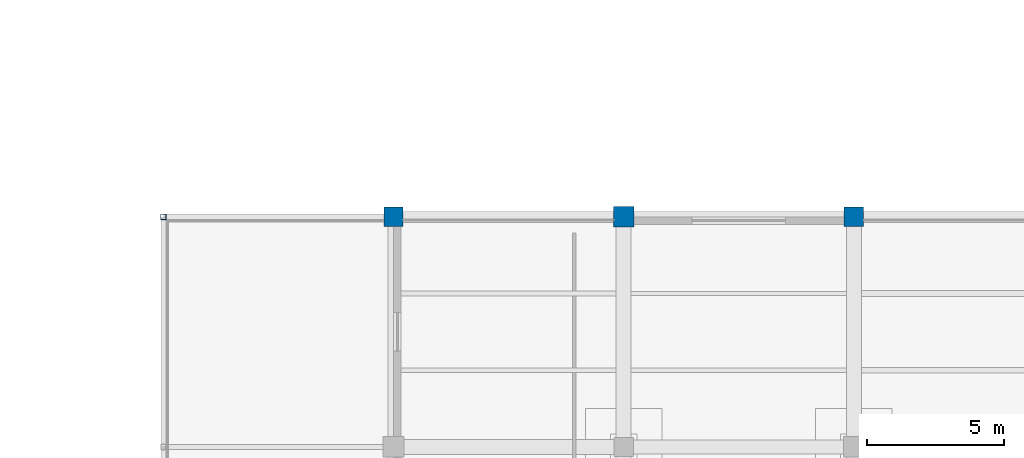
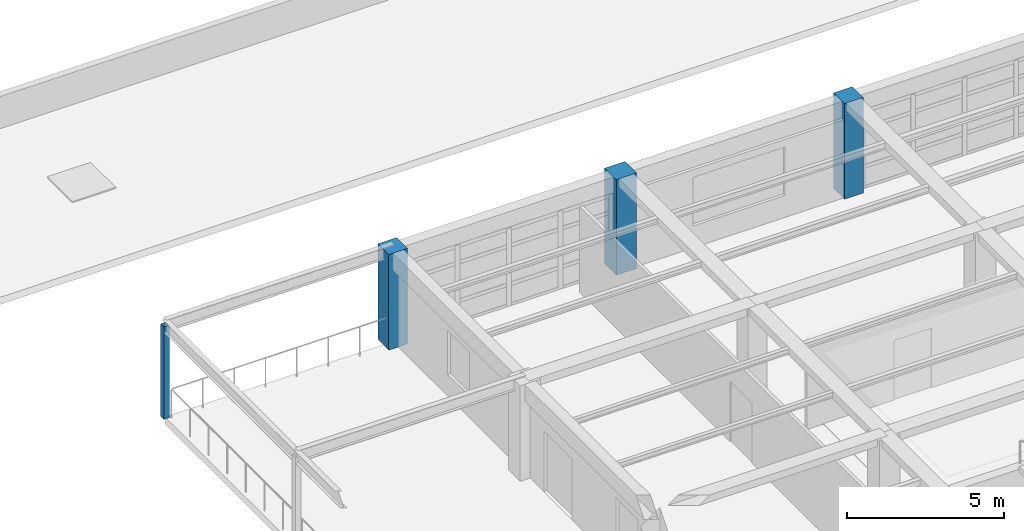
# One storey, part 3 of 35: 4 columns.
"""IFC4 building model written with IfcOpenShell, lengths in metres."""

from ifc_helpers import new_model, si_unit, direction, frame, origin, origin_2d, place, context, subcontext, project, spatial, rectangle, hollow_rectangle, extrude, material, material_profile, profile_set, type_object, element, save


model = new_model("IFC4")

# Units and contexts
model_context = context("Model", 3, precision=1e-05, world=origin(), true_north=direction((0.0, 1.0)))
body_context = subcontext(model_context, "Body", "Model", "MODEL_VIEW")
ifc_project = project(units=[si_unit("LENGTHUNIT", "METRE"), si_unit("AREAUNIT", "SQUARE_METRE"), si_unit("VOLUMEUNIT", "CUBIC_METRE"), si_unit("PLANEANGLEUNIT", "RADIAN"), si_unit("MASSUNIT", "GRAM", prefix="KILO")], contexts=[model_context])

# Site, building, storey
site_placement = place(None, origin())
site = spatial("IfcSite", under=ifc_project, at=site_placement, CompositionType="ELEMENT")
building_placement = place(site_placement, origin())
building = spatial("IfcBuilding", under=site, at=building_placement, Name="Almacenes y Pasaje Nevantli", CompositionType="ELEMENT")
storey_placement = place(building_placement, frame((0.0, 0.0, 26.699951171875)))
storey = spatial("IfcBuildingStorey", under=building, at=storey_placement, Name="L06", CompositionType="ELEMENT", Elevation=26.699951171875)

# Columns
ifc_material_1 = material(Name="Concrete C45/55", Category="concrete")
ifc_material_profile_1 = material_profile(ifc_material_1, rectangle(XDim=0.699951171875, YDim=0.699951171875, at=origin_2d()), Name="RC-COL-700x700")
ifc_profile_set_1 = profile_set([ifc_material_profile_1], Name="Concrete C45/55")
column_type_1 = type_object("IfcColumnType", Name="COL-RC-700", PredefinedType="COLUMN", material=ifc_profile_set_1)
for number, where, z_axis, x_axis, name in (
    (1, (109.199951171875, 100.800048828125, 0.0), (0.0, 0.0, 1.0), (1.0, 0.0, 0.0), "L06 Reinforced Concrete Column CL-06 #2070"),
    (2, (126.0, 100.800048828125, 0.0), (0.0, 0.0, 1.0), (1.0, 0.0, 0.0), "L06 Reinforced Concrete Column CL-06 #2080"),
):
    element("IfcColumn", number, at=place(storey_placement, frame(where, z_axis=z_axis, x_axis=x_axis)), inside=storey, type_object=column_type_1, Name=name, PredefinedType="COLUMN", context=body_context, shape_type="SweptSolid", body=[
        extrude(rectangle(XDim=0.699951171875, YDim=0.699951171875, at=origin_2d()), origin(), (0.0, 0.0, 1.0), 3.719970703125),
    ])
ifc_material_2 = material(Name="Concrete C45/55", Category="concrete")
ifc_material_profile_2 = material_profile(ifc_material_2, rectangle(XDim=0.75, YDim=0.75, at=origin_2d()), Name="RC-COL-750x750")
ifc_profile_set_2 = profile_set([ifc_material_profile_2], Name="Concrete C45/55")
column_type_2 = type_object("IfcColumnType", Name="COL-RC-750", PredefinedType="COLUMN", material=ifc_profile_set_2)
column_1_placement = place(storey_placement, frame((117.60009765625, 100.800048828125, 0.0), z_axis=(0.0, 0.0, 1.0), x_axis=(1.0, 0.0, 0.0)))
element("IfcColumn", 3, at=column_1_placement, inside=storey, type_object=column_type_2, Name="L06 Reinforced Concrete Column CL-05 #2075", PredefinedType="COLUMN", context=body_context, shape_type="SweptSolid", body=[
    extrude(rectangle(XDim=0.75, YDim=0.75, at=origin_2d()), origin(), (0.0, 0.0, 1.0), 3.719970703125),
])
ifc_material_3 = material(Name="Steel ASTM A500 Grade C", Category="steel")
ifc_material_profile_3 = material_profile(ifc_material_3, hollow_rectangle(XDim=0.203125, YDim=0.203125, WallThickness=0.009521484375, at=origin_2d()), Name="OR 203x203x9.5")
ifc_profile_set_3 = profile_set([ifc_material_profile_3], Name="Steel ASTM A500 Grade C")
column_type_3 = type_object("IfcColumnType", Name="COL-STL-OR203", PredefinedType="COLUMN", material=ifc_profile_set_3)
column_2_placement = place(storey_placement, frame((100.800048828125, 100.800048828125, 0.0), z_axis=(0.0, 0.0, 1.0), x_axis=(1.0, 0.0, 0.0)))
element("IfcColumn", 4, at=column_2_placement, inside=storey, type_object=column_type_3, Name="L06 Ziggurat Terrace Pergola Steel Column #2105", PredefinedType="COLUMN", context=body_context, shape_type="SweptSolid", body=[
    extrude(hollow_rectangle(XDim=0.203125, YDim=0.203125, WallThickness=0.009521484375, at=origin_2d()), origin(), (0.0, 0.0, 1.0), 3.60009765625),
])

save(model, "model.ifc")
